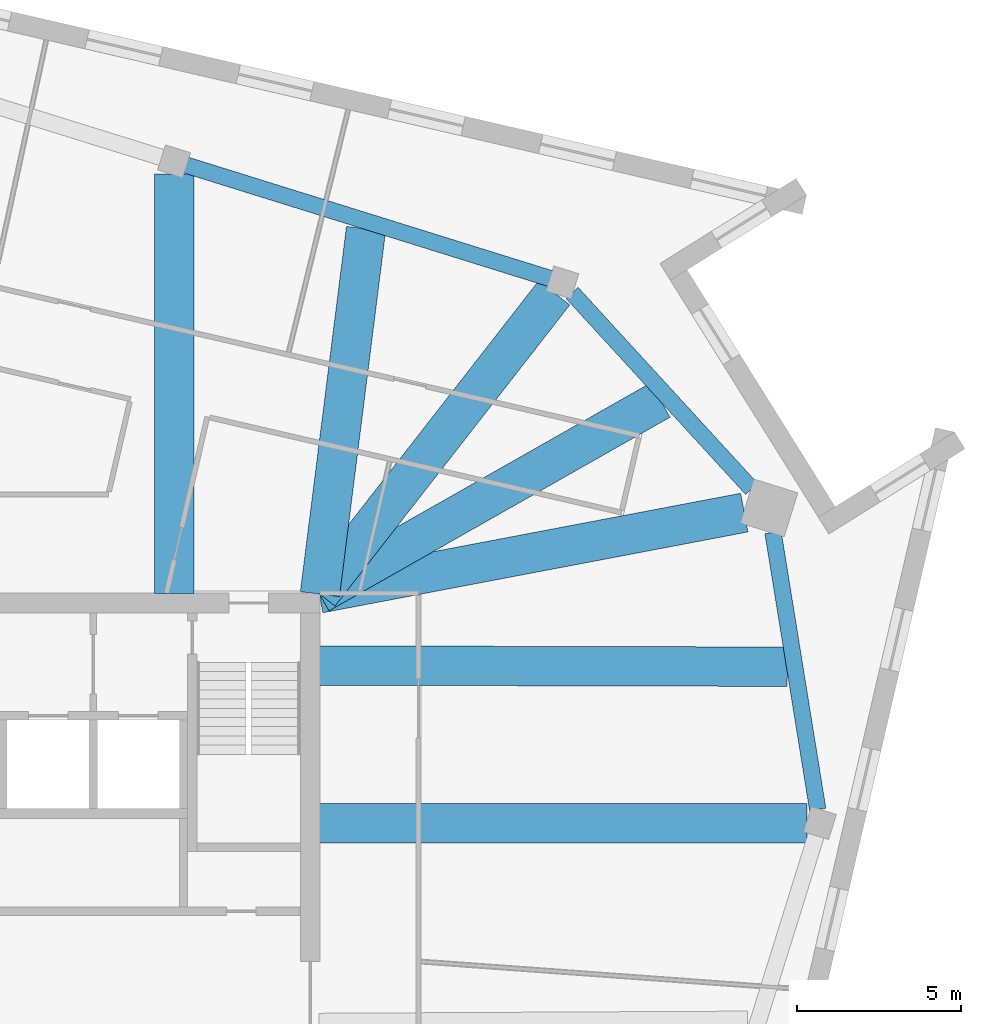
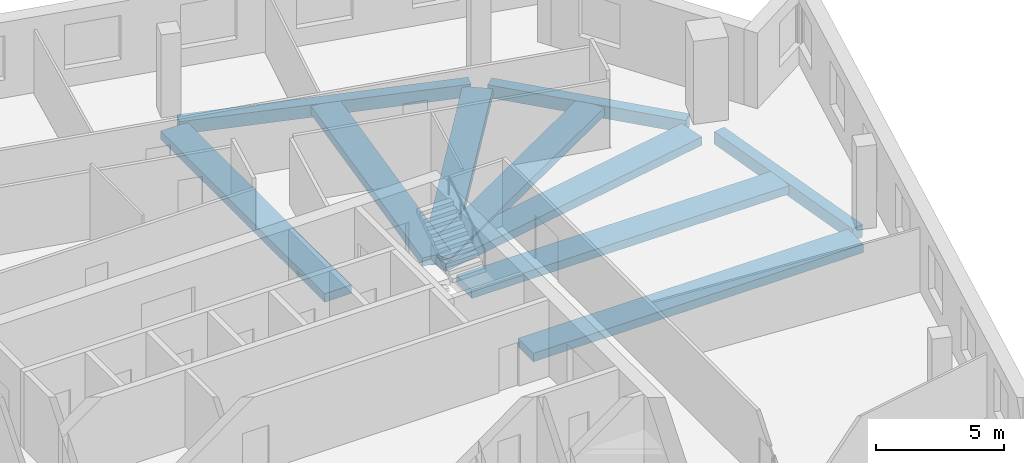
# One storey, part 3 of 14: 10 beams.
"""IFC4 building model written with IfcOpenShell, lengths in metres."""

from ifc_helpers import new_model, si_unit, direction, frame, origin, origin_2d, place, context, subcontext, project, spatial, rectangle, extrude, material, material_profile, profile_set, type_object, element, save


model = new_model("IFC4")

# Units and contexts
model_context = context("Model", 3, precision=1e-05, world=origin(), true_north=direction((0.0, 1.0)))
body_context = subcontext(model_context, "Body", "Model", "MODEL_VIEW")
ifc_project = project(units=[si_unit("LENGTHUNIT", "METRE"), si_unit("AREAUNIT", "SQUARE_METRE"), si_unit("VOLUMEUNIT", "CUBIC_METRE"), si_unit("PLANEANGLEUNIT", "RADIAN"), si_unit("MASSUNIT", "GRAM", prefix="KILO")], contexts=[model_context])

# Site, building, storey
site_placement = place(None, origin())
site = spatial("IfcSite", under=ifc_project, at=site_placement, CompositionType="ELEMENT")
building_placement = place(site_placement, origin())
building = spatial("IfcBuilding", under=site, at=building_placement, Name="Dilmun Exchange Tower", CompositionType="ELEMENT")
storey_placement = place(building_placement, frame((0.0, 0.0, 332.5)))
storey = spatial("IfcBuildingStorey", under=building, at=storey_placement, Name="L79", CompositionType="ELEMENT", Elevation=332.5)

# Beams
ifc_material = material(Name="Concrete C40/50", Category="concrete")
ifc_material_profile_1 = material_profile(ifc_material, rectangle(XDim=1.199951171875, YDim=0.39990234375, at=origin_2d()), Name="1200 x 400")
ifc_profile_set_1 = profile_set([ifc_material_profile_1], Name="Concrete C40/50")
beam_type_1 = type_object("IfcBeamType", Name="RC band beam 1200 x 400 C40/50", PredefinedType="BEAM", material=ifc_profile_set_1)
beam_1_placement = place(storey_placement, frame((27.216064453125, 5.406005859375, -0.64990234375), z_axis=(-1.0, 0.0, 0.0), x_axis=(0.0, -1.0, 0.0)))
element("IfcBeam", 1, at=beam_1_placement, inside=storey, type_object=beam_type_1, Name="Band beam 12", PredefinedType="BEAM", context=body_context, shape_type="SweptSolid", body=[
    extrude(rectangle(XDim=1.199951171875, YDim=0.39990234375, at=origin_2d()), origin(), (0.0, 0.0, 1.0), 14.843017578125),
])
beam_2_placement = place(storey_placement, frame((25.30712890625, 14.85205078125, -0.64990234375), z_axis=(-0.982429348436, -0.18663487169, 0.0), x_axis=(0.18663487169, -0.982429348436, 0.0)))
element("IfcBeam", 2, at=beam_2_placement, inside=storey, type_object=beam_type_1, Name="Band beam 13", PredefinedType="BEAM", context=body_context, shape_type="SweptSolid", body=[
    extrude(rectangle(XDim=1.199951171875, YDim=0.39990234375, at=origin_2d()), origin(), (0.0, 0.0, 1.0), 13.164794921875),
])
beam_3_placement = place(storey_placement, frame((19.52685546875, 21.541259765625, -0.64990234375), z_axis=(-0.614856714099, -0.788638840743, 0.0), x_axis=(0.788638840743, -0.614856714099, 0.0)))
element("IfcBeam", 3, at=beam_3_placement, inside=storey, type_object=beam_type_1, Name="Band beam 14", PredefinedType="BEAM", context=body_context, shape_type="SweptSolid", body=[
    extrude(rectangle(XDim=1.199951171875, YDim=0.39990234375, at=origin_2d()), origin(), (0.0, 0.0, 1.0), 11.6181640625),
])
beam_4_placement = place(storey_placement, frame((7.9580078125, 25.14697265625, -0.64990234375), z_axis=(0.0, -1.0, 0.0), x_axis=(1.0, 0.0, 0.0)))
element("IfcBeam", 4, at=beam_4_placement, inside=storey, type_object=beam_type_1, Name="Band beam 15", PredefinedType="BEAM", context=body_context, shape_type="SweptSolid", body=[
    extrude(rectangle(XDim=1.199951171875, YDim=0.39990234375, at=origin_2d()), origin(), (0.0, 0.0, 1.0), 12.77392578125),
])
beam_5_placement = place(storey_placement, frame((26.614013671875, 10.1650390625, -0.550048828125), z_axis=(-0.999996910379, 0.002485806038, 0.0), x_axis=(-0.002485806038, -0.999996910379, 0.0)))
element("IfcBeam", 5, at=beam_5_placement, inside=storey, type_object=beam_type_1, Name="Band beam 28", PredefinedType="BEAM", context=body_context, shape_type="SweptSolid", body=[
    extrude(rectangle(XDim=1.199951171875, YDim=0.39990234375, at=origin_2d()), origin(), (0.0, 0.0, 1.0), 14.240966796875),
])
beam_6_placement = place(storey_placement, frame((22.752197265625, 18.275390625, -0.550048828125), z_axis=(-0.869690188955, -0.493597989496, 0.0), x_axis=(0.493597989496, -0.869690188955, 0.0)))
element("IfcBeam", 6, at=beam_6_placement, inside=storey, type_object=beam_type_1, Name="Band beam 29", PredefinedType="BEAM", context=body_context, shape_type="SweptSolid", body=[
    extrude(rectangle(XDim=1.199951171875, YDim=0.39990234375, at=origin_2d()), origin(), (0.0, 0.0, 1.0), 11.93017578125),
])
beam_7_placement = place(storey_placement, frame((13.79931640625, 23.485107421875, -0.550048828125), z_axis=(-0.125252659456, -0.992124876867, 0.0), x_axis=(0.992124876867, -0.125252659456, 0.0)))
element("IfcBeam", 7, at=beam_7_placement, inside=storey, type_object=beam_type_1, Name="Band beam 30", PredefinedType="BEAM", context=body_context, shape_type="SweptSolid", body=[
    extrude(rectangle(XDim=1.199951171875, YDim=0.39990234375, at=origin_2d()), origin(), (0.0, 0.0, 1.0), 11.199951171875),
])
ifc_material_profile_2 = material_profile(ifc_material, rectangle(XDim=0.5, YDim=0.60009765625, at=origin_2d()), Name="500 x 600")
ifc_profile_set_2 = profile_set([ifc_material_profile_2], Name="Concrete C40/50")
beam_type_2 = type_object("IfcBeamType", Name="RC ring beam 500 x 600 C40/50", PredefinedType="SPANDREL", material=ifc_profile_set_2)
beam_8_placement = place(storey_placement, frame((27.541015625, 5.820556640625, -0.64990234375), z_axis=(-0.159356501233, 0.987221102649, 0.0), x_axis=(-0.987221102649, -0.159356501233, 0.0)))
element("IfcBeam", 8, at=beam_8_placement, inside=storey, type_object=beam_type_2, Name="Ring beam 12", PredefinedType="SPANDREL", context=body_context, shape_type="SweptSolid", body=[
    extrude(rectangle(XDim=0.5, YDim=0.60009765625, at=origin_2d()), origin(), (0.0, 0.0, 1.0), 8.5380859375),
])
beam_9_placement = place(storey_placement, frame((25.531005859375, 15.572265625, -0.64990234375), z_axis=(-0.675535971399, 0.737327031476, 0.0), x_axis=(-0.737327031476, -0.675535971399, 0.0)))
element("IfcBeam", 9, at=beam_9_placement, inside=storey, type_object=beam_type_2, Name="Ring beam 13", PredefinedType="SPANDREL", context=body_context, shape_type="SweptSolid", body=[
    extrude(rectangle(XDim=0.5, YDim=0.60009765625, at=origin_2d()), origin(), (0.0, 0.0, 1.0), 8.087890625),
])
beam_10_placement = place(storey_placement, frame((19.4169921875, 21.968017578125, -0.64990234375), z_axis=(-0.95471613385, 0.297518241065, 0.0), x_axis=(-0.297518241065, -0.95471613385, 0.0)))
element("IfcBeam", 10, at=beam_10_placement, inside=storey, type_object=beam_type_2, Name="Ring beam 14", PredefinedType="SPANDREL", context=body_context, shape_type="SweptSolid", body=[
    extrude(rectangle(XDim=0.5, YDim=0.60009765625, at=origin_2d()), origin(), (0.0, 0.0, 1.0), 11.62939453125),
])

save(model, "model.ifc")
